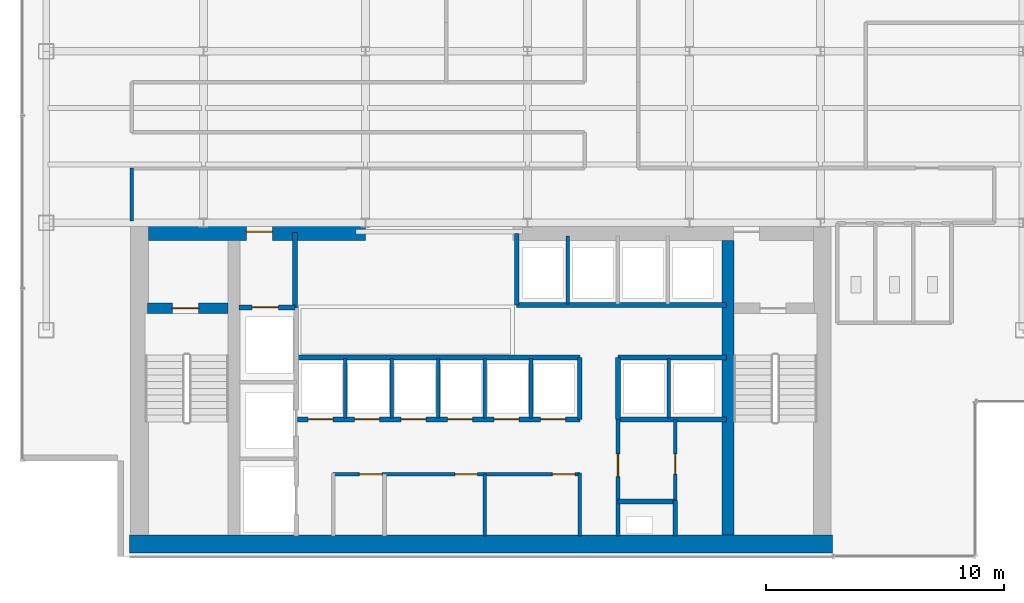
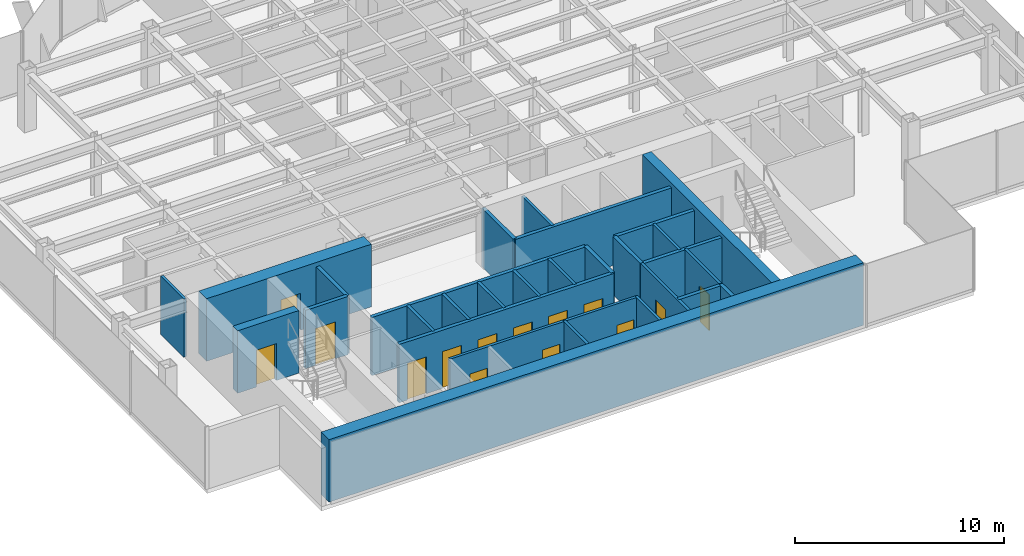
# One storey, part 20 of 25: 29 walls, 14 doors, 14 openings.
"""IFC4 building model written with IfcOpenShell, lengths in metres."""

from ifc_helpers import new_model, si_unit, derived_unit, direction, frame, frame_2d, origin, place, context, subcontext, project, spatial, rectangle, extrude, source, transform, mapped, material, layer, layer_set, type_object, element, fill, save


model = new_model("IFC4")

# Units and contexts
model_context = context("Model", 3, precision=1e-05, world=origin(), true_north=direction((0.0, 1.0)))
body_context = subcontext(model_context, "Body", "Model", "MODEL_VIEW")
ifc_project = project(units=[si_unit("LENGTHUNIT", "METRE"), si_unit("AREAUNIT", "SQUARE_METRE"), si_unit("VOLUMEUNIT", "CUBIC_METRE"), si_unit("PLANEANGLEUNIT", "RADIAN"), si_unit("MASSUNIT", "GRAM", prefix="KILO"), derived_unit("THERMALTRANSMITTANCEUNIT", [(si_unit("POWERUNIT", "WATT"), 1), (si_unit("LENGTHUNIT", "METRE"), -2), (si_unit("THERMODYNAMICTEMPERATUREUNIT", "KELVIN"), -1)])], contexts=[model_context])

# Site, building, storey
site_placement = place(None, origin())
site = spatial("IfcSite", under=ifc_project, at=site_placement, CompositionType="ELEMENT")
building_placement = place(site_placement, origin())
building = spatial("IfcBuilding", under=site, at=building_placement, Name="Skarnbrae Concourse Arena and Tower", CompositionType="ELEMENT")
storey_placement = place(building_placement, frame((0.0, 0.0, 147.89990234375)))
storey = spatial("IfcBuildingStorey", under=building, at=storey_placement, Name="L37", CompositionType="ELEMENT", Elevation=147.89990234375)

# Wall, opening, door
ifc_material_1 = material(Name="Concrete 50 MPa (C50/60)", Category="concrete")
ifc_layer_1 = layer(ifc_material_1, 0.449951171875)
ifc_layer_set_1 = layer_set([ifc_layer_1], Name="Concrete 50 MPa (C50/60)")
wall_type_1 = type_object("IfcWallType", Name="WALL-CORE-450-C50", PredefinedType="SHEAR", material=ifc_layer_set_1)
shared_shape_1 = source(origin(), body_context, "Body", "SweptSolid", [
    extrude(rectangle(XDim=3.389892578125, YDim=0.449951171875, at=frame_2d((1.69482421875, 0.0))), origin(), (0.0, 0.0, 1.0), 3.650146484375),
])
wall_1_placement = place(storey_placement, frame((5.25, 10.419921875, 0.0), z_axis=(0.0, 0.0, 1.0), x_axis=(1.0, 0.0, 0.0)))
wall_1 = element("IfcWall", 1, at=wall_1_placement, inside=storey, type_object=wall_type_1, Name="L37 Rear core shear wall CW-ST1-N", PredefinedType="SHEAR", context=body_context, shape_type="MappedRepresentation", body=[
    mapped(shared_shape_1, transform((0.0, 0.0, 0.0))),
])
opening_1_placement = place(wall_1_placement, frame((1.050048828125, 0.0, 0.0)))
opening_1 = element("IfcOpeningElement", 2, at=opening_1_placement, cuts=wall_1, Name="Opening DT-03", PredefinedType="OPENING", context=body_context, shape_type="SweptSolid", body=[
    extrude(rectangle(XDim=1.10009765625, YDim=2.14990234375, at=frame_2d((0.550048828125, 1.074951171875))), frame((0.0, 0.23486328125, 0.0), z_axis=(0.0, -1.0, 0.0), x_axis=(1.0, 0.0, 0.0)), (0.0, 0.0, 1.0), 0.469970703125),
])
ifc_material_2 = material(Name="Steel CSA G40.21 350W", Category="steel")
door_type_1 = type_object("IfcDoorType", Name="DOOR-FIRE-1100-90M", OperationType="NOTDEFINED", PredefinedType="DOOR", material=ifc_material_2)
shared_shape_2 = source(origin(), body_context, "Body", "SweptSolid", [
    extrude(rectangle(XDim=1.10009765625, YDim=2.14990234375, at=frame_2d((0.550048828125, 1.074951171875))), frame((0.0, 0.02490234375, 0.0), z_axis=(0.0, -1.0, 0.0), x_axis=(1.0, 0.0, 0.0)), (0.0, 0.0, 1.0), 0.050048828125),
])
door_1_placement = place(opening_1_placement, frame((1.10009765625, 0.0, 0.0), z_axis=(0.0, 0.0, 1.0), x_axis=(-1.0, 0.0, 0.0)))
door_1 = element("IfcDoor", 3, at=door_1_placement, inside=storey, type_object=door_type_1, Name="D-1154 Stair ST-1 Door", OperationType="SINGLE_SWING_LEFT", OverallHeight=2.14990234375, OverallWidth=1.10009765625, PredefinedType="DOOR", context=body_context, shape_type="MappedRepresentation", body=[
    mapped(shared_shape_2, transform((0.0, 0.0, 0.0))),
])
fill(opening_1, door_1)

# Wall
ifc_material_3 = material(Name="Concrete 60 MPa (C60/75)", Category="concrete")
ifc_layer_2 = layer(ifc_material_3, 0.75)
ifc_layer_set_2 = layer_set([ifc_layer_2], Name="Concrete 60 MPa (C60/75)")
wall_type_2 = type_object("IfcWallType", Name="WALL-CORE-750-C60", PredefinedType="SHEAR", material=ifc_layer_set_2)
shared_shape_3 = source(origin(), body_context, "Body", "SweptSolid", [
    extrude(rectangle(XDim=29.5, YDim=0.75, at=frame_2d((14.75, 0.0))), origin(), (0.0, 0.0, 1.0), 3.650146484375),
])
wall_2_placement = place(storey_placement, frame((4.5, 0.52490234375, 0.0), z_axis=(0.0, 0.0, 1.0), x_axis=(1.0, 0.0, 0.0)))
element("IfcWall", 4, at=wall_2_placement, inside=storey, type_object=wall_type_2, Name="L37 Rear core shear wall CW-S", PredefinedType="SHEAR", context=body_context, shape_type="MappedRepresentation", body=[
    mapped(shared_shape_3, transform((0.0, 0.0, 0.0))),
])

# Wall, opening, door
shared_shape_4 = source(origin(), body_context, "Body", "SweptSolid", [
    extrude(rectangle(XDim=9.099853515625, YDim=0.75, at=frame_2d((4.5498046875, 0.0))), origin(), (0.0, 0.0, 1.0), 3.650146484375),
])
wall_3_placement = place(storey_placement, frame((5.300048828125, 13.625, 0.0), z_axis=(0.0, 0.0, 1.0), x_axis=(1.0, 0.0, 0.0)))
wall_3 = element("IfcWall", 5, at=wall_3_placement, inside=storey, type_object=wall_type_2, Name="L37 Rear core shear wall CW-NW", PredefinedType="SHEAR", context=body_context, shape_type="MappedRepresentation", body=[
    mapped(shared_shape_4, transform((0.0, 0.0, 0.0))),
])
opening_2_placement = place(wall_3_placement, frame((4.10009765625, 0.0, 0.0)))
opening_2 = element("IfcOpeningElement", 6, at=opening_2_placement, cuts=wall_3, Name="Opening DT-03", PredefinedType="OPENING", context=body_context, shape_type="SweptSolid", body=[
    extrude(rectangle(XDim=1.10009765625, YDim=2.14990234375, at=frame_2d((0.550048828125, 1.074951171875))), frame((0.0, 0.385009765625, 0.0), z_axis=(0.0, -1.0, 0.0), x_axis=(1.0, 0.0, 0.0)), (0.0, 0.0, 1.0), 0.77001953125),
])
door_2_placement = place(opening_2_placement, origin())
door_2 = element("IfcDoor", 7, at=door_2_placement, inside=storey, type_object=door_type_1, Name="D-1156 Firefighting Lobby Exit Door", OperationType="SINGLE_SWING_RIGHT", OverallHeight=2.14990234375, OverallWidth=1.10009765625, PredefinedType="DOOR", context=body_context, shape_type="MappedRepresentation", body=[
    mapped(shared_shape_2, transform((0.0, 0.0, 0.0))),
])
fill(opening_2, door_2)

# Walls
ifc_layer_3 = layer(ifc_material_3, 0.5)
ifc_layer_set_3 = layer_set([ifc_layer_3], Name="Concrete 60 MPa (C60/75)")
wall_type_3 = type_object("IfcWallType", Name="WALL-CORE-500-C60", PredefinedType="SHEAR", material=ifc_layer_set_3)
shared_shape_5 = source(origin(), body_context, "Body", "SweptSolid", [
    extrude(rectangle(XDim=12.35009765625, YDim=0.5, at=frame_2d((6.175048828125, 0.0))), origin(), (0.0, 0.0, 1.0), 3.650146484375),
])
wall_4_placement = place(storey_placement, frame((29.610107421875, 0.89990234375, 0.0), z_axis=(0.0, 0.0, 1.0), x_axis=(0.0, 1.0, 0.0)))
element("IfcWall", 8, at=wall_4_placement, inside=storey, type_object=wall_type_3, Name="L37 Rear core shear wall CW-WEB-E", PredefinedType="SHEAR", context=body_context, shape_type="MappedRepresentation", body=[
    mapped(shared_shape_5, transform((0.0, 0.0, 0.0))),
])
ifc_material_4 = material(Name="Gypsum board on cold-formed steel studs", Category="steel")
ifc_layer_4 = layer(ifc_material_4, 0.199951171875)
ifc_layer_set_4 = layer_set([ifc_layer_4], Name="Gypsum board on cold-formed steel studs")
wall_type_4 = type_object("IfcWallType", Name="WALL-PART-200-2HR", PredefinedType="PARTITIONING", material=ifc_layer_set_4)
shared_shape_6 = source(origin(), body_context, "Body", "SweptSolid", [
    extrude(rectangle(XDim=3.18017578125, YDim=0.199951171875, at=frame_2d((1.590087890625, 0.0))), origin(), (0.0, 0.0, 1.0), 3.400146484375),
])
wall_5_placement = place(storey_placement, frame((11.449951171875, 10.419921875, 0.0), z_axis=(0.0, 0.0, 1.0), x_axis=(0.0, 1.0, 0.0)))
element("IfcWall", 9, at=wall_5_placement, inside=storey, type_object=wall_type_4, Name="L37 Interior partition wall W-L37-FFL-E", PredefinedType="PARTITIONING", context=body_context, shape_type="MappedRepresentation", body=[
    mapped(shared_shape_6, transform((0.0, 0.0, 0.0))),
])

# Wall, opening, door
shared_shape_7 = source(origin(), body_context, "Body", "SweptSolid", [
    extrude(rectangle(XDim=2.349853515625, YDim=0.199951171875, at=frame_2d((1.1748046875, 0.0))), origin(), (0.0, 0.0, 1.0), 3.400146484375),
])
wall_6_placement = place(storey_placement, frame((9.10009765625, 10.449951171875, 0.0), z_axis=(0.0, 0.0, 1.0), x_axis=(1.0, 0.0, 0.0)))
wall_6 = element("IfcWall", 10, at=wall_6_placement, inside=storey, type_object=wall_type_4, Name="L37 Interior partition wall W-L37-FL1-N", PredefinedType="PARTITIONING", context=body_context, shape_type="MappedRepresentation", body=[
    mapped(shared_shape_7, transform((0.0, 0.0, 0.0))),
])
opening_3_placement = place(wall_6_placement, frame((0.550048828125, 0.0, 0.0)))
opening_3 = element("IfcOpeningElement", 11, at=opening_3_placement, cuts=wall_6, Name="Opening LD-01", PredefinedType="OPENING", context=body_context, shape_type="SweptSolid", body=[
    extrude(rectangle(XDim=1.10009765625, YDim=2.14990234375, at=frame_2d((0.550048828125, 1.074951171875))), frame((0.0, 0.10986328125, 0.0), z_axis=(0.0, -1.0, 0.0), x_axis=(1.0, 0.0, 0.0)), (0.0, 0.0, 1.0), 0.219970703125),
])
door_type_2 = type_object("IfcDoorType", Name="DOOR-LIFT-SLIDE-1100", OperationType="SLIDING_TO_LEFT", PredefinedType="DOOR", material=ifc_material_2)
door_3_placement = place(opening_3_placement, origin())
door_3 = element("IfcDoor", 12, at=door_3_placement, inside=storey, type_object=door_type_2, Name="D-1158 Firefighting Lift Landing Door FL-01", OperationType="SLIDING_TO_LEFT", OverallHeight=2.14990234375, OverallWidth=1.10009765625, PredefinedType="DOOR", context=body_context, shape_type="MappedRepresentation", body=[
    mapped(shared_shape_2, transform((0.0, 0.0, 0.0))),
])
fill(opening_3, door_3)

# Wall
ifc_layer_5 = layer(ifc_material_4, 0.14990234375)
ifc_layer_set_5 = layer_set([ifc_layer_5], Name="Gypsum board on cold-formed steel studs")
wall_type_5 = type_object("IfcWallType", Name="WALL-PART-150", PredefinedType="PARTITIONING", material=ifc_layer_set_5)
shared_shape_8 = source(origin(), body_context, "Body", "SweptSolid", [
    extrude(rectangle(XDim=2.599853515625, YDim=0.14990234375, at=frame_2d((1.2998046875, 0.0))), origin(), (0.0, 0.0, 1.0), 3.400146484375),
])
wall_7_placement = place(storey_placement, frame((19.39990234375, 0.85009765625, 0.0), z_axis=(0.0, 0.0, 1.0), x_axis=(0.0, 1.0, 0.0)))
element("IfcWall", 13, at=wall_7_placement, inside=storey, type_object=wall_type_5, Name="L37 Interior partition wall W-L37-B1M-C2", PredefinedType="PARTITIONING", context=body_context, shape_type="MappedRepresentation", body=[
    mapped(shared_shape_8, transform((0.0, 0.0, 0.0))),
])

# Wall, openings, doors
shared_shape_9 = source(origin(), body_context, "Body", "SweptSolid", [
    extrude(rectangle(XDim=11.849853515625, YDim=0.199951171875, at=frame_2d((5.9248046875, 0.0))), origin(), (0.0, 0.0, 1.0), 3.400146484375),
])
wall_8_placement = place(storey_placement, frame((11.550048828125, 5.75, 0.0), z_axis=(0.0, 0.0, 1.0), x_axis=(1.0, 0.0, 0.0)))
wall_8 = element("IfcWall", 14, at=wall_8_placement, inside=storey, type_object=wall_type_4, Name="L37 Interior partition wall W-L37-B2-S", PredefinedType="PARTITIONING", context=body_context, shape_type="MappedRepresentation", body=[
    mapped(shared_shape_9, transform((0.0, 0.0, 0.0))),
])
opening_4_placement = place(wall_8_placement, frame((0.449951171875, 0.0, 0.0)))
opening_4 = element("IfcOpeningElement", 15, at=opening_4_placement, cuts=wall_8, Name="Opening LD-03", PredefinedType="OPENING", context=body_context, shape_type="SweptSolid", body=[
    extrude(rectangle(XDim=1.050048828125, YDim=2.14990234375, at=frame_2d((0.52490234375, 1.074951171875))), frame((0.0, 0.10986328125, 0.0), z_axis=(0.0, -1.0, 0.0), x_axis=(1.0, 0.0, 0.0)), (0.0, 0.0, 1.0), 0.219970703125),
])
opening_5_placement = place(wall_8_placement, frame((2.39990234375, 0.0, 0.0)))
opening_5 = element("IfcOpeningElement", 16, at=opening_5_placement, cuts=wall_8, Name="Opening LD-03", PredefinedType="OPENING", context=body_context, shape_type="SweptSolid", body=[
    extrude(rectangle(XDim=1.050048828125, YDim=2.14990234375, at=frame_2d((0.52490234375, 1.074951171875))), frame((0.0, 0.10986328125, 0.0), z_axis=(0.0, -1.0, 0.0), x_axis=(1.0, 0.0, 0.0)), (0.0, 0.0, 1.0), 0.219970703125),
])
opening_6_placement = place(wall_8_placement, frame((4.35009765625, 0.0, 0.0)))
opening_6 = element("IfcOpeningElement", 17, at=opening_6_placement, cuts=wall_8, Name="Opening LD-03", PredefinedType="OPENING", context=body_context, shape_type="SweptSolid", body=[
    extrude(rectangle(XDim=1.050048828125, YDim=2.14990234375, at=frame_2d((0.52490234375, 1.074951171875))), frame((0.0, 0.10986328125, 0.0), z_axis=(0.0, -1.0, 0.0), x_axis=(1.0, 0.0, 0.0)), (0.0, 0.0, 1.0), 0.219970703125),
])
opening_7_placement = place(wall_8_placement, frame((6.300048828125, 0.0, 0.0)))
opening_7 = element("IfcOpeningElement", 18, at=opening_7_placement, cuts=wall_8, Name="Opening LD-03", PredefinedType="OPENING", context=body_context, shape_type="SweptSolid", body=[
    extrude(rectangle(XDim=1.050048828125, YDim=2.14990234375, at=frame_2d((0.52490234375, 1.074951171875))), frame((0.0, 0.10986328125, 0.0), z_axis=(0.0, -1.0, 0.0), x_axis=(1.0, 0.0, 0.0)), (0.0, 0.0, 1.0), 0.219970703125),
])
opening_8_placement = place(wall_8_placement, frame((8.25, 0.0, 0.0)))
opening_8 = element("IfcOpeningElement", 19, at=opening_8_placement, cuts=wall_8, Name="Opening LD-03", PredefinedType="OPENING", context=body_context, shape_type="SweptSolid", body=[
    extrude(rectangle(XDim=1.050048828125, YDim=2.14990234375, at=frame_2d((0.52490234375, 1.074951171875))), frame((0.0, 0.10986328125, 0.0), z_axis=(0.0, -1.0, 0.0), x_axis=(1.0, 0.0, 0.0)), (0.0, 0.0, 1.0), 0.219970703125),
])
opening_9_placement = place(wall_8_placement, frame((10.199951171875, 0.0, 0.0)))
opening_9 = element("IfcOpeningElement", 20, at=opening_9_placement, cuts=wall_8, Name="Opening LD-03", PredefinedType="OPENING", context=body_context, shape_type="SweptSolid", body=[
    extrude(rectangle(XDim=1.050048828125, YDim=2.14990234375, at=frame_2d((0.52490234375, 1.074951171875))), frame((0.0, 0.10986328125, 0.0), z_axis=(0.0, -1.0, 0.0), x_axis=(1.0, 0.0, 0.0)), (0.0, 0.0, 1.0), 0.219970703125),
])
ifc_material_5 = material(Name="Bronze anodised aluminium 6063-T6", Category="aluminium")
door_type_3 = type_object("IfcDoorType", Name="DOOR-LIFT-SLIDE-1050", OperationType="SLIDING_TO_LEFT", PredefinedType="DOOR", material=ifc_material_5)
shared_shape_10 = source(origin(), body_context, "Body", "SweptSolid", [
    extrude(rectangle(XDim=1.050048828125, YDim=2.14990234375, at=frame_2d((0.52490234375, 1.074951171875))), frame((0.0, 0.02490234375, 0.0), z_axis=(0.0, -1.0, 0.0), x_axis=(1.0, 0.0, 0.0)), (0.0, 0.0, 1.0), 0.050048828125),
])
door_4_placement = place(opening_4_placement, frame((1.050048828125, 0.0, 0.0), z_axis=(0.0, 0.0, 1.0), x_axis=(-1.0, 0.0, 0.0)))
door_4 = element("IfcDoor", 21, at=door_4_placement, inside=storey, type_object=door_type_3, Name="D-1164 Passenger Lift Landing Door PL-2A", OperationType="SLIDING_TO_LEFT", OverallHeight=2.14990234375, OverallWidth=1.050048828125, PredefinedType="DOOR", context=body_context, shape_type="MappedRepresentation", body=[
    mapped(shared_shape_10, transform((0.0, 0.0, 0.0))),
])
fill(opening_4, door_4)
door_5_placement = place(opening_5_placement, frame((1.050048828125, 0.0, 0.0), z_axis=(0.0, 0.0, 1.0), x_axis=(-1.0, 0.0, 0.0)))
door_5 = element("IfcDoor", 22, at=door_5_placement, inside=storey, type_object=door_type_3, Name="D-1165 Passenger Lift Landing Door PL-2B", OperationType="SLIDING_TO_LEFT", OverallHeight=2.14990234375, OverallWidth=1.050048828125, PredefinedType="DOOR", context=body_context, shape_type="MappedRepresentation", body=[
    mapped(shared_shape_10, transform((0.0, 0.0, 0.0))),
])
fill(opening_5, door_5)
door_6_placement = place(opening_6_placement, frame((1.050048828125, 0.0, 0.0), z_axis=(0.0, 0.0, 1.0), x_axis=(-1.0, 0.0, 0.0)))
door_6 = element("IfcDoor", 23, at=door_6_placement, inside=storey, type_object=door_type_3, Name="D-1166 Passenger Lift Landing Door PL-2C", OperationType="SLIDING_TO_LEFT", OverallHeight=2.14990234375, OverallWidth=1.050048828125, PredefinedType="DOOR", context=body_context, shape_type="MappedRepresentation", body=[
    mapped(shared_shape_10, transform((0.0, 0.0, 0.0))),
])
fill(opening_6, door_6)
door_7_placement = place(opening_7_placement, frame((1.050048828125, 0.0, 0.0), z_axis=(0.0, 0.0, 1.0), x_axis=(-1.0, 0.0, 0.0)))
door_7 = element("IfcDoor", 24, at=door_7_placement, inside=storey, type_object=door_type_3, Name="D-1167 Passenger Lift Landing Door PL-2D", OperationType="SLIDING_TO_LEFT", OverallHeight=2.14990234375, OverallWidth=1.050048828125, PredefinedType="DOOR", context=body_context, shape_type="MappedRepresentation", body=[
    mapped(shared_shape_10, transform((0.0, 0.0, 0.0))),
])
fill(opening_7, door_7)
door_8_placement = place(opening_8_placement, frame((1.050048828125, 0.0, 0.0), z_axis=(0.0, 0.0, 1.0), x_axis=(-1.0, 0.0, 0.0)))
door_8 = element("IfcDoor", 25, at=door_8_placement, inside=storey, type_object=door_type_3, Name="D-1168 Passenger Lift Landing Door PL-2E", OperationType="SLIDING_TO_LEFT", OverallHeight=2.14990234375, OverallWidth=1.050048828125, PredefinedType="DOOR", context=body_context, shape_type="MappedRepresentation", body=[
    mapped(shared_shape_10, transform((0.0, 0.0, 0.0))),
])
fill(opening_8, door_8)
door_9_placement = place(opening_9_placement, frame((1.050048828125, 0.0, 0.0), z_axis=(0.0, 0.0, 1.0), x_axis=(-1.0, 0.0, 0.0)))
door_9 = element("IfcDoor", 26, at=door_9_placement, inside=storey, type_object=door_type_3, Name="D-1169 Passenger Lift Landing Door PL-2F", OperationType="SLIDING_TO_LEFT", OverallHeight=2.14990234375, OverallWidth=1.050048828125, PredefinedType="DOOR", context=body_context, shape_type="MappedRepresentation", body=[
    mapped(shared_shape_10, transform((0.0, 0.0, 0.0))),
])
fill(opening_9, door_9)

# Walls
wall_9_placement = place(storey_placement, frame((11.550048828125, 8.35009765625, 0.0), z_axis=(0.0, 0.0, 1.0), x_axis=(1.0, 0.0, 0.0)))
element("IfcWall", 27, at=wall_9_placement, inside=storey, type_object=wall_type_4, Name="L37 Interior partition wall W-L37-B2-N", PredefinedType="PARTITIONING", context=body_context, shape_type="MappedRepresentation", body=[
    mapped(shared_shape_9, transform((0.0, 0.0, 0.0))),
])
shared_shape_11 = source(origin(), body_context, "Body", "SweptSolid", [
    extrude(rectangle(XDim=2.60009765625, YDim=0.199951171875, at=frame_2d((1.300048828125, 0.0))), origin(), (0.0, 0.0, 1.0), 3.400146484375),
])
for number, where, z_axis, x_axis, name in (
    (28, (23.39990234375, 5.75, 0.0), (0.0, 0.0, 1.0), (0.0, 1.0, 0.0), "L37 Interior partition wall W-L37-B2-E"),
    (29, (25.0, 5.75, 0.0), (0.0, 0.0, 1.0), (0.0, 1.0, 0.0), "L37 Interior partition wall W-L37-B3S-W"),
):
    element("IfcWall", number, at=place(storey_placement, frame(where, z_axis=z_axis, x_axis=x_axis)), inside=storey, type_object=wall_type_4, Name=name, PredefinedType="PARTITIONING", context=body_context, shape_type="MappedRepresentation", body=[
        mapped(shared_shape_11, transform((0.0, 0.0, 0.0))),
    ])
shared_shape_12 = source(origin(), body_context, "Body", "SweptSolid", [
    extrude(rectangle(XDim=2.5, YDim=0.14990234375, at=frame_2d((1.25, 0.0))), origin(), (0.0, 0.0, 1.0), 3.400146484375),
])
for number, where, z_axis, x_axis, name in (
    (30, (13.550048828125, 5.800048828125, 0.0), (0.0, 0.0, 1.0), (0.0, 1.0, 0.0), "L37 Interior partition wall W-L37-B2-P1"),
    (31, (15.5, 5.800048828125, 0.0), (0.0, 0.0, 1.0), (0.0, 1.0, 0.0), "L37 Interior partition wall W-L37-B2-P2"),
    (32, (17.449951171875, 5.800048828125, 0.0), (0.0, 0.0, 1.0), (0.0, 1.0, 0.0), "L37 Interior partition wall W-L37-B2-P3"),
    (33, (19.39990234375, 5.800048828125, 0.0), (0.0, 0.0, 1.0), (0.0, 1.0, 0.0), "L37 Interior partition wall W-L37-B2-P4"),
    (34, (21.35009765625, 5.800048828125, 0.0), (0.0, 0.0, 1.0), (0.0, 1.0, 0.0), "L37 Interior partition wall W-L37-B2-P5"),
    (35, (27.139892578125, 5.800048828125, 0.0), (0.0, 0.0, 1.0), (0.0, 1.0, 0.0), "L37 Interior partition wall W-L37-B3S-P1"),
):
    element("IfcWall", number, at=place(storey_placement, frame(where, z_axis=z_axis, x_axis=x_axis)), inside=storey, type_object=wall_type_5, Name=name, PredefinedType="PARTITIONING", context=body_context, shape_type="MappedRepresentation", body=[
        mapped(shared_shape_12, transform((0.0, 0.0, 0.0))),
    ])
shared_shape_13 = source(origin(), body_context, "Body", "SweptSolid", [
    extrude(rectangle(XDim=8.800048828125, YDim=0.199951171875, at=frame_2d((4.39990234375, 0.0))), origin(), (0.0, 0.0, 1.0), 3.400146484375),
])
wall_10_placement = place(storey_placement, frame((20.75, 10.550048828125, 0.0), z_axis=(0.0, 0.0, 1.0), x_axis=(1.0, 0.0, 0.0)))
element("IfcWall", 36, at=wall_10_placement, inside=storey, type_object=wall_type_4, Name="L37 Interior partition wall W-L37-B3N-S", PredefinedType="PARTITIONING", context=body_context, shape_type="MappedRepresentation", body=[
    mapped(shared_shape_13, transform((0.0, 0.0, 0.0))),
])
shared_shape_14 = source(origin(), body_context, "Body", "SweptSolid", [
    extrude(rectangle(XDim=3.0, YDim=0.199951171875, at=frame_2d((1.5, 0.0))), origin(), (0.0, 0.0, 1.0), 3.400146484375),
])
wall_11_placement = place(storey_placement, frame((20.75, 10.550048828125, 0.0), z_axis=(0.0, 0.0, 1.0), x_axis=(0.0, 1.0, 0.0)))
element("IfcWall", 37, at=wall_11_placement, inside=storey, type_object=wall_type_4, Name="L37 Interior partition wall W-L37-B3N-W", PredefinedType="PARTITIONING", context=body_context, shape_type="MappedRepresentation", body=[
    mapped(shared_shape_14, transform((0.0, 0.0, 0.0))),
])
shared_shape_15 = source(origin(), body_context, "Body", "SweptSolid", [
    extrude(rectangle(XDim=2.849853515625, YDim=0.14990234375, at=frame_2d((1.4248046875, 0.0))), origin(), (0.0, 0.0, 1.0), 3.400146484375),
])
wall_12_placement = place(storey_placement, frame((22.889892578125, 10.60009765625, 0.0), z_axis=(0.0, 0.0, 1.0), x_axis=(0.0, 1.0, 0.0)))
element("IfcWall", 38, at=wall_12_placement, inside=storey, type_object=wall_type_5, Name="L37 Interior partition wall W-L37-B3N-P1", PredefinedType="PARTITIONING", context=body_context, shape_type="MappedRepresentation", body=[
    mapped(shared_shape_15, transform((0.0, 0.0, 0.0))),
])
shared_shape_16 = source(origin(), body_context, "Body", "SweptSolid", [
    extrude(rectangle(XDim=4.550048828125, YDim=0.199951171875, at=frame_2d((2.27490234375, 0.0))), origin(), (0.0, 0.0, 1.0), 3.400146484375),
])
for number, where, z_axis, x_axis, name in (
    (39, (25.0, 8.35009765625, 0.0), (0.0, 0.0, 1.0), (1.0, 0.0, 0.0), "L37 Interior partition wall W-L37-B3S-N"),
    (40, (25.0, 5.75, 0.0), (0.0, 0.0, 1.0), (1.0, 0.0, 0.0), "L37 Interior partition wall W-L37-B3S-S"),
):
    element("IfcWall", number, at=place(storey_placement, frame(where, z_axis=z_axis, x_axis=x_axis)), inside=storey, type_object=wall_type_4, Name=name, PredefinedType="PARTITIONING", context=body_context, shape_type="MappedRepresentation", body=[
        mapped(shared_shape_16, transform((0.0, 0.0, 0.0))),
    ])

# Wall, opening, door
ifc_layer_6 = layer(ifc_material_4, 0.14990234375)
ifc_layer_set_6 = layer_set([ifc_layer_6], Name="Gypsum board on cold-formed steel studs")
wall_type_6 = type_object("IfcWallType", Name="WALL-PART-150-1HR", PredefinedType="PARTITIONING", material=ifc_layer_set_6)
shared_shape_17 = source(origin(), body_context, "Body", "SweptSolid", [
    extrude(rectangle(XDim=4.89990234375, YDim=0.14990234375, at=frame_2d((2.449951171875, 0.0))), origin(), (0.0, 0.0, 1.0), 3.400146484375),
])
wall_13_placement = place(storey_placement, frame((25.0, 0.85009765625, 0.0), z_axis=(0.0, 0.0, 1.0), x_axis=(0.0, 1.0, 0.0)))
wall_13 = element("IfcWall", 41, at=wall_13_placement, inside=storey, type_object=wall_type_6, Name="L37 Interior partition wall W-L37-CSV-W", PredefinedType="PARTITIONING", context=body_context, shape_type="MappedRepresentation", body=[
    mapped(shared_shape_17, transform((0.0, 0.0, 0.0))),
])
opening_10_placement = place(wall_13_placement, frame((2.5, 0.0, 0.0)))
opening_10 = element("IfcOpeningElement", 42, at=opening_10_placement, cuts=wall_13, Name="Opening DT-04", PredefinedType="OPENING", context=body_context, shape_type="SweptSolid", body=[
    extrude(rectangle(XDim=0.949951171875, YDim=2.14990234375, at=frame_2d((0.47509765625, 1.074951171875))), frame((0.0, 0.0849609375, 0.0), z_axis=(0.0, -1.0, 0.0), x_axis=(1.0, 0.0, 0.0)), (0.0, 0.0, 1.0), 0.169921875),
])
door_type_4 = type_object("IfcDoorType", Name="DOOR-INT-950-45M", OperationType="NOTDEFINED", PredefinedType="DOOR", material=ifc_material_2)
shared_shape_18 = source(origin(), body_context, "Body", "SweptSolid", [
    extrude(rectangle(XDim=0.949951171875, YDim=2.14990234375, at=frame_2d((0.47509765625, 1.074951171875))), frame((0.0, 0.02490234375, 0.0), z_axis=(0.0, -1.0, 0.0), x_axis=(1.0, 0.0, 0.0)), (0.0, 0.0, 1.0), 0.050048828125),
])
door_10_placement = place(opening_10_placement, origin())
door_10 = element("IfcDoor", 43, at=door_10_placement, inside=storey, type_object=door_type_4, Name="D-1170 Core Pantry Door", OperationType="SINGLE_SWING_RIGHT", OverallHeight=2.14990234375, OverallWidth=0.949951171875, PredefinedType="DOOR", context=body_context, shape_type="MappedRepresentation", body=[
    mapped(shared_shape_18, transform((0.0, 0.0, 0.0))),
])
fill(opening_10, door_10)

# Walls
shared_shape_19 = source(origin(), body_context, "Body", "SweptSolid", [
    extrude(rectangle(XDim=2.39990234375, YDim=0.199951171875, at=frame_2d((1.199951171875, 0.0))), origin(), (0.0, 0.0, 1.0), 3.400146484375),
])
wall_14_placement = place(storey_placement, frame((25.0, 2.300048828125, 0.0), z_axis=(0.0, 0.0, 1.0), x_axis=(1.0, 0.0, 0.0)))
element("IfcWall", 44, at=wall_14_placement, inside=storey, type_object=wall_type_4, Name="L37 Interior partition wall W-L37-MEP-N", PredefinedType="PARTITIONING", context=body_context, shape_type="MappedRepresentation", body=[
    mapped(shared_shape_19, transform((0.0, 0.0, 0.0))),
])
shared_shape_20 = source(origin(), body_context, "Body", "SweptSolid", [
    extrude(rectangle(XDim=1.5, YDim=0.199951171875, at=frame_2d((0.75, 0.0))), origin(), (0.0, 0.0, 1.0), 3.400146484375),
])
wall_15_placement = place(storey_placement, frame((27.39990234375, 0.85009765625, 0.0), z_axis=(0.0, 0.0, 1.0), x_axis=(0.0, 1.0, 0.0)))
element("IfcWall", 45, at=wall_15_placement, inside=storey, type_object=wall_type_4, Name="L37 Interior partition wall W-L37-MEP-E", PredefinedType="PARTITIONING", context=body_context, shape_type="MappedRepresentation", body=[
    mapped(shared_shape_20, transform((0.0, 0.0, 0.0))),
])

# Wall, opening, door
shared_shape_21 = source(origin(), body_context, "Body", "SweptSolid", [
    extrude(rectangle(XDim=3.39990234375, YDim=0.14990234375, at=frame_2d((1.699951171875, 0.0))), origin(), (0.0, 0.0, 1.0), 3.400146484375),
])
wall_16_placement = place(storey_placement, frame((27.39990234375, 2.35009765625, 0.0), z_axis=(0.0, 0.0, 1.0), x_axis=(0.0, 1.0, 0.0)))
wall_16 = element("IfcWall", 46, at=wall_16_placement, inside=storey, type_object=wall_type_5, Name="L37 Interior partition wall W-L37-CSV-V", PredefinedType="PARTITIONING", context=body_context, shape_type="MappedRepresentation", body=[
    mapped(shared_shape_21, transform((0.0, 0.0, 0.0))),
])
opening_11_placement = place(wall_16_placement, frame((1.10009765625, 0.0, 0.0)))
opening_11 = element("IfcOpeningElement", 47, at=opening_11_placement, cuts=wall_16, Name="Opening DT-06", PredefinedType="OPENING", context=body_context, shape_type="SweptSolid", body=[
    extrude(rectangle(XDim=0.85009765625, YDim=2.10009765625, at=frame_2d((0.425048828125, 1.050048828125))), frame((0.0, 0.0849609375, 0.0), z_axis=(0.0, -1.0, 0.0), x_axis=(1.0, 0.0, 0.0)), (0.0, 0.0, 1.0), 0.169921875),
])
ifc_material_6 = material(Name="Architectural oak veneer timber leaf", Category="wood")
door_type_5 = type_object("IfcDoorType", Name="DOOR-INT-850", OperationType="NOTDEFINED", PredefinedType="DOOR", material=ifc_material_6)
shared_shape_22 = source(origin(), body_context, "Body", "SweptSolid", [
    extrude(rectangle(XDim=0.85009765625, YDim=2.10009765625, at=frame_2d((0.425048828125, 1.050048828125))), frame((0.0, 0.02490234375, 0.0), z_axis=(0.0, -1.0, 0.0), x_axis=(1.0, 0.0, 0.0)), (0.0, 0.0, 1.0), 0.050048828125),
])
door_11_placement = place(opening_11_placement, frame((0.85009765625, 0.0, 0.0), z_axis=(0.0, 0.0, 1.0), x_axis=(-1.0, 0.0, 0.0)))
door_11 = element("IfcDoor", 48, at=door_11_placement, inside=storey, type_object=door_type_5, Name="D-1171 Supply Cupboard Door", OperationType="SINGLE_SWING_LEFT", OverallHeight=2.10009765625, OverallWidth=0.85009765625, PredefinedType="DOOR", context=body_context, shape_type="MappedRepresentation", body=[
    mapped(shared_shape_22, transform((0.0, 0.0, 0.0))),
])
fill(opening_11, door_11)

# Wall
shared_shape_23 = source(origin(), body_context, "Body", "SweptSolid", [
    extrude(rectangle(XDim=2.64990234375, YDim=0.14990234375, at=frame_2d((1.324951171875, 0.0))), origin(), (0.0, 0.0, 1.0), 3.400146484375),
])
wall_17_placement = place(storey_placement, frame((23.39990234375, 0.85009765625, 0.0), z_axis=(0.0, 0.0, 1.0), x_axis=(0.0, 1.0, 0.0)))
element("IfcWall", 49, at=wall_17_placement, inside=storey, type_object=wall_type_6, Name="L37 Interior partition wall W-L37-B1M-E", PredefinedType="PARTITIONING", context=body_context, shape_type="MappedRepresentation", body=[
    mapped(shared_shape_23, transform((0.0, 0.0, 0.0))),
])

# Wall, openings, doors
shared_shape_24 = source(origin(), body_context, "Body", "SweptSolid", [
    extrude(rectangle(XDim=10.349853515625, YDim=0.14990234375, at=frame_2d((5.1748046875, 0.0))), origin(), (0.0, 0.0, 1.0), 3.400146484375),
])
wall_18_placement = place(storey_placement, frame((13.050048828125, 3.449951171875, 0.0), z_axis=(0.0, 0.0, 1.0), x_axis=(1.0, 0.0, 0.0)))
wall_18 = element("IfcWall", 50, at=wall_18_placement, inside=storey, type_object=wall_type_6, Name="L37 Interior partition wall W-L37-B1M-N", PredefinedType="PARTITIONING", context=body_context, shape_type="MappedRepresentation", body=[
    mapped(shared_shape_24, transform((0.0, 0.0, 0.0))),
])
opening_12_placement = place(wall_18_placement, frame((1.10009765625, 0.0, 0.0)))
opening_12 = element("IfcOpeningElement", 51, at=opening_12_placement, cuts=wall_18, Name="Opening DT-04", PredefinedType="OPENING", context=body_context, shape_type="SweptSolid", body=[
    extrude(rectangle(XDim=0.949951171875, YDim=2.14990234375, at=frame_2d((0.47509765625, 1.074951171875))), frame((0.0, 0.0849609375, 0.0), z_axis=(0.0, -1.0, 0.0), x_axis=(1.0, 0.0, 0.0)), (0.0, 0.0, 1.0), 0.169921875),
])
opening_13_placement = place(wall_18_placement, frame((5.10009765625, 0.0, 0.0)))
opening_13 = element("IfcOpeningElement", 52, at=opening_13_placement, cuts=wall_18, Name="Opening DT-04", PredefinedType="OPENING", context=body_context, shape_type="SweptSolid", body=[
    extrude(rectangle(XDim=0.949951171875, YDim=2.14990234375, at=frame_2d((0.47509765625, 1.074951171875))), frame((0.0, 0.0849609375, 0.0), z_axis=(0.0, -1.0, 0.0), x_axis=(1.0, 0.0, 0.0)), (0.0, 0.0, 1.0), 0.169921875),
])
opening_14_placement = place(wall_18_placement, frame((9.199951171875, 0.0, 0.0)))
opening_14 = element("IfcOpeningElement", 53, at=opening_14_placement, cuts=wall_18, Name="Opening DT-04", PredefinedType="OPENING", context=body_context, shape_type="SweptSolid", body=[
    extrude(rectangle(XDim=0.949951171875, YDim=2.14990234375, at=frame_2d((0.47509765625, 1.074951171875))), frame((0.0, 0.0849609375, 0.0), z_axis=(0.0, -1.0, 0.0), x_axis=(1.0, 0.0, 0.0)), (0.0, 0.0, 1.0), 0.169921875),
])
door_12_placement = place(opening_12_placement, origin())
door_12 = element("IfcDoor", 54, at=door_12_placement, inside=storey, type_object=door_type_4, Name="D-1161 Core Service Door 1", OperationType="SINGLE_SWING_LEFT", OverallHeight=2.14990234375, OverallWidth=0.949951171875, PredefinedType="DOOR", context=body_context, shape_type="MappedRepresentation", body=[
    mapped(shared_shape_18, transform((0.0, 0.0, 0.0))),
])
fill(opening_12, door_12)
door_13_placement = place(opening_13_placement, origin())
door_13 = element("IfcDoor", 55, at=door_13_placement, inside=storey, type_object=door_type_4, Name="D-1162 Core Service Door 2", OperationType="SINGLE_SWING_RIGHT", OverallHeight=2.14990234375, OverallWidth=0.949951171875, PredefinedType="DOOR", context=body_context, shape_type="MappedRepresentation", body=[
    mapped(shared_shape_18, transform((0.0, 0.0, 0.0))),
])
fill(opening_13, door_13)
door_14_placement = place(opening_14_placement, origin())
door_14 = element("IfcDoor", 56, at=door_14_placement, inside=storey, type_object=door_type_4, Name="D-1163 Core Service Door 3", OperationType="SINGLE_SWING_LEFT", OverallHeight=2.14990234375, OverallWidth=0.949951171875, PredefinedType="DOOR", context=body_context, shape_type="MappedRepresentation", body=[
    mapped(shared_shape_18, transform((0.0, 0.0, 0.0))),
])
fill(opening_14, door_14)

# Wall
shared_shape_25 = source(origin(), body_context, "Body", "SweptSolid", [
    extrude(rectangle(XDim=2.219970703125, YDim=0.14990234375, at=frame_2d((1.10986328125, 0.0))), origin(), (0.0, 0.0, 1.0), 3.400146484375),
])
wall_19_placement = place(storey_placement, frame((4.60009765625, 14.080078125, 0.0), z_axis=(0.0, 0.0, 1.0), x_axis=(0.0, 1.0, 0.0)))
element("IfcWall", 57, at=wall_19_placement, inside=storey, type_object=wall_type_6, Name="L37 Interior partition wall W-L37-COR-01", PredefinedType="PARTITIONING", context=body_context, shape_type="MappedRepresentation", body=[
    mapped(shared_shape_25, transform((0.0, 0.0, 0.0))),
])

save(model, "model.ifc")
